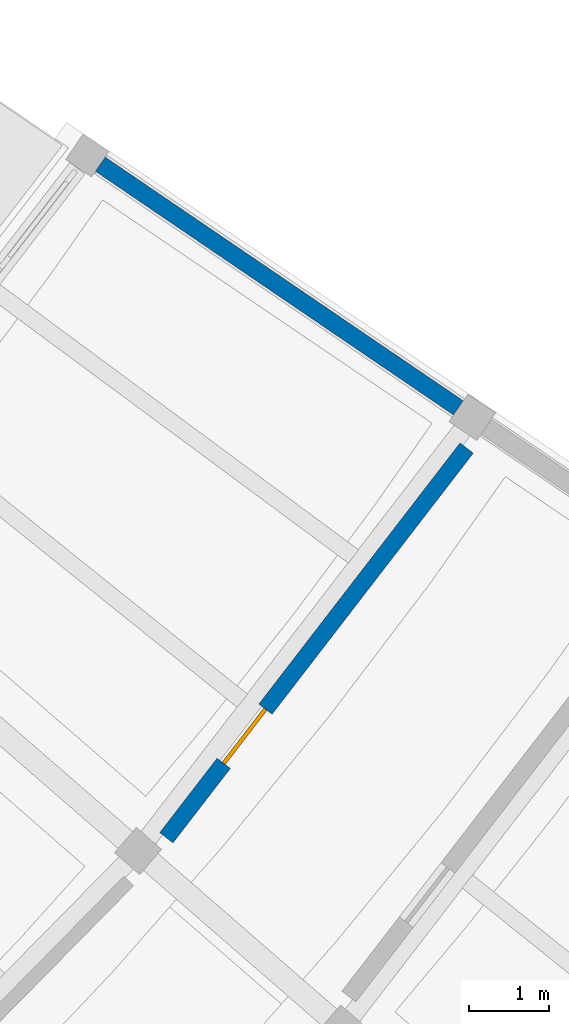
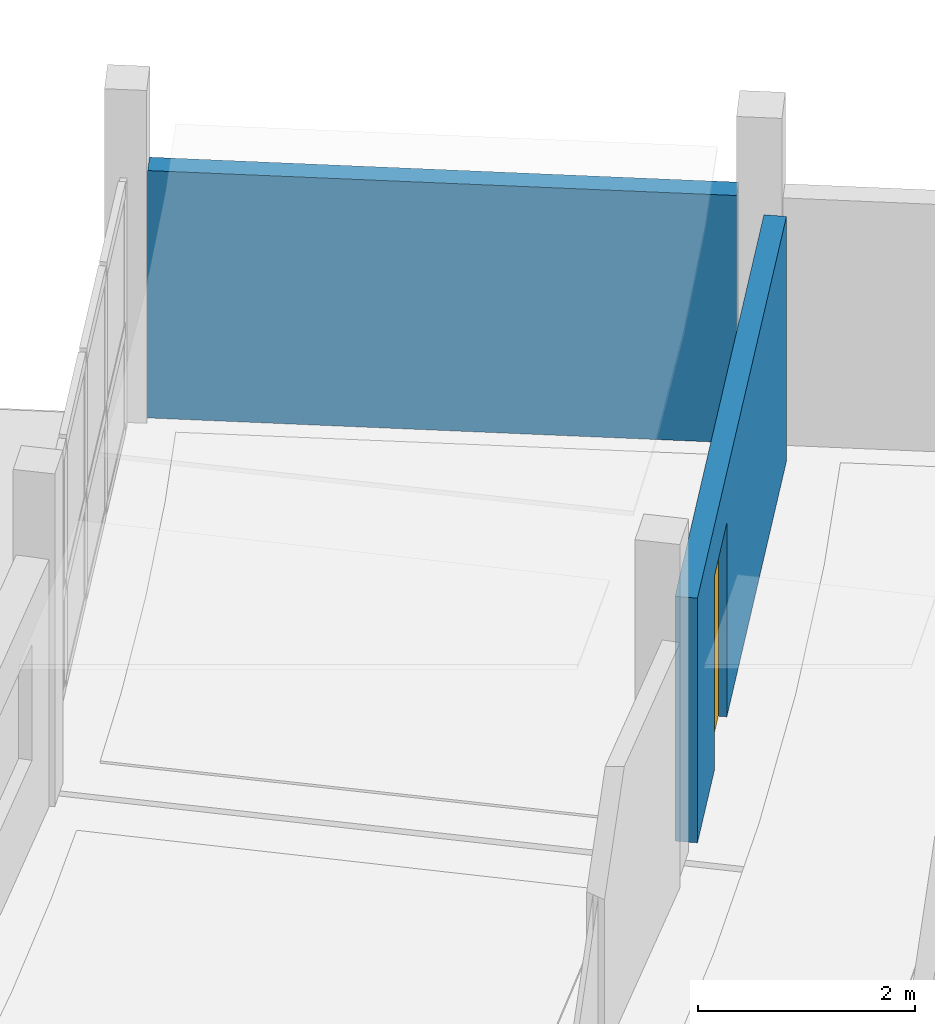
# One storey, part 60 of 77: 2 walls, 1 door, 1 opening.
"""IFC4 building model written with IfcOpenShell, lengths in metres."""

import ifcopenshell
import ifcopenshell.guid

model = None  # the IFC model being written
_history = None  # IfcOwnerHistory: only IFC2X3 demands one
_inside = {}  # id of a spatial element -> (the spatial element, [elements in it])
_under = {}  # id of a project, library or spatial element -> (it, [spatial elements below it])
_declared = {}  # id of a project -> (the project, [libraries it declares])
_typed = {}  # id of a type object -> (the type object, [elements of that type])
_made_of = {}  # id of a material, layer set ... -> (it, [elements and type objects made of it])


def new_model(schema):
    """Start an empty IFC model of exactly this schema.

    Asked for "IFC4X3", IfcOpenShell would pick the latest addendum, in which some entities
    have other attributes; the version numbers below select the first issue.
    IFC2X3 requires an IfcOwnerHistory on every rooted entity: one is made here for all.
    """
    global model, _history
    if schema == "IFC4X3":
        model = ifcopenshell.file(schema_version=(4, 3, 0, 0))
    else:
        model = ifcopenshell.file(schema=schema)
    _inside.clear()
    _under.clear()
    _declared.clear()
    _typed.clear()
    _made_of.clear()
    _history = None
    if model.schema == "IFC2X3":
        org = make("IfcOrganization", Name="unknown")
        user = make(
            "IfcPersonAndOrganization",
            ThePerson=make("IfcPerson", FamilyName="unknown"),
            TheOrganization=org,
        )
        app = make(
            "IfcApplication",
            ApplicationDeveloper=org,
            Version="unknown",
            ApplicationFullName="unknown",
            ApplicationIdentifier="unknown",
        )
        _history = make(
            "IfcOwnerHistory",
            OwningUser=user,
            OwningApplication=app,
            ChangeAction="ADDED",
            CreationDate=0,
        )
    return model


def make(cls, **values):
    """One entity of the class cls with the attributes given. An attribute that is None is left unset."""
    return model.create_entity(
        cls, **{name: value for name, value in values.items() if value is not None}
    )


def rooted(cls, **values):
    """An entity with a GlobalId (a new one), such as an element, a storey or a relation."""
    return make(cls, GlobalId=ifcopenshell.guid.new(), OwnerHistory=_history, **values)


def si_unit(unit_type, name, prefix=None):
    """IfcSIUnit, for example si_unit("LENGTHUNIT", "METRE", prefix="MILLI")."""
    return make("IfcSIUnit", UnitType=unit_type, Prefix=prefix, Name=name)


def assignment(units):
    """IfcUnitAssignment: the units of a project."""
    return None if units is None else make("IfcUnitAssignment", Units=units)


def point(xyz):
    """IfcCartesianPoint."""
    return None if xyz is None else make("IfcCartesianPoint", Coordinates=xyz)


def direction(xyz):
    """IfcDirection."""
    return None if xyz is None else make("IfcDirection", DirectionRatios=xyz)


def frame(location, z_axis=None, x_axis=None):
    """IfcAxis2Placement3D, a coordinate frame: its origin and axes. An axis left out is left unset."""
    return make(
        "IfcAxis2Placement3D",
        Location=point(location),
        Axis=direction(z_axis),
        RefDirection=direction(x_axis),
    )


def frame_2d(location, x_axis=None):
    """IfcAxis2Placement2D, a coordinate frame in the plane: its origin and x axis."""
    return make(
        "IfcAxis2Placement2D", Location=point(location), RefDirection=direction(x_axis)
    )


def origin():
    """The frame at (0, 0, 0) with its axes left unset."""
    return frame((0.0, 0.0, 0.0))


def place(relative_to, where):
    """IfcLocalPlacement: puts the frame where relative to a parent placement (None: the world)."""
    return make(
        "IfcLocalPlacement", PlacementRelTo=relative_to, RelativePlacement=where
    )


def context(
    kind, dimensions, precision=None, world=None, true_north=None, identifier=None
):
    """IfcGeometricRepresentationContext, for example the 3D "Model" context."""
    return make(
        "IfcGeometricRepresentationContext",
        ContextIdentifier=identifier,
        ContextType=kind,
        CoordinateSpaceDimension=dimensions,
        Precision=precision,
        WorldCoordinateSystem=world,
        TrueNorth=true_north,
    )


def subcontext(parent, identifier, kind, view, scale=None):
    """IfcGeometricRepresentationSubContext, for example "Body" below "Model"."""
    return make(
        "IfcGeometricRepresentationSubContext",
        ContextIdentifier=identifier,
        ContextType=kind,
        ParentContext=parent,
        TargetScale=scale,
        TargetView=view,
    )


def project(units=None, contexts=None):
    """IfcProject with its units and contexts."""
    return rooted(
        "IfcProject",
        Name="project",
        RepresentationContexts=contexts,
        UnitsInContext=assignment(units),
    )


def spatial(cls, under=None, at=None, **own):
    """A site, building, storey or space (cls), placed at a placement, below another one or the project."""
    s = rooted(cls, ObjectPlacement=at, **own)
    if under is not None:
        _under.setdefault(under.id(), (under, []))[1].append(s)
    return s


def profile(cls, at=None, kind="AREA", **sizes):
    """A parametric profile (cls). Its sizes go by their IFC names, for example OverallWidth=200.0."""
    return make(cls, ProfileType=kind, Position=at, **sizes)


def rectangle(**sizes):
    """IfcRectangleProfileDef."""
    return profile("IfcRectangleProfileDef", **sizes)


def extrude(swept, where, along, depth):
    """IfcExtrudedAreaSolid: the profile swept, set in the frame where, extruded along a direction by depth."""
    return make(
        "IfcExtrudedAreaSolid",
        SweptArea=swept,
        Position=where,
        ExtrudedDirection=direction(along),
        Depth=depth,
    )


def shape(context_of_items, identifier, shape_type, items):
    """IfcShapeRepresentation: the items that make up one representation, for example the "Body"."""
    return make(
        "IfcShapeRepresentation",
        ContextOfItems=context_of_items,
        RepresentationIdentifier=identifier,
        RepresentationType=shape_type,
        Items=items,
    )


def material(Name=None, Category=None):
    """IfcMaterial."""
    return make("IfcMaterial", Name=Name, Category=Category)


def layer(
    of_material, thickness, ventilated=None, Name=None, Category=None, Priority=None
):
    """IfcMaterialLayer: one layer of a wall or slab, of a material (None: an air gap)."""
    return make(
        "IfcMaterialLayer",
        Material=of_material,
        LayerThickness=thickness,
        IsVentilated=ventilated,
        Name=Name,
        Category=Category,
        Priority=Priority,
    )


def layer_set(layers, Name=None):
    """IfcMaterialLayerSet."""
    return make("IfcMaterialLayerSet", MaterialLayers=layers, LayerSetName=Name)


def made_of(thing, what):
    """Note that an element or type object is made of a material, layer set ...; save() writes the relation."""
    if what is not None:
        _made_of.setdefault(what.id(), (what, []))[1].append(thing)
    return thing


def type_object(cls, material=None, **own):
    """A type object (cls), such as IfcWallType, which elements share."""
    return made_of(rooted(cls, **own), material)


def element(
    cls,
    number,
    at=None,
    inside=None,
    cuts=None,
    type_object=None,
    material=None,
    context=None,
    identifier="Body",
    shape_type=None,
    held_by="IfcProductDefinitionShape",
    body=None,
    shapes=None,
    **own,
):
    """One element of the class cls, such as IfcWall. Its Tag is "e" and its number.

    at: its placement. inside: the storey or other place that contains it. cuts: it is an
    opening in that element (IfcRelVoidsElement). A single representation is given by context,
    identifier, shape_type and body (its items); several are given by shapes. held_by: the class
    of the entity that holds the representations. save() writes the other relations.
    """
    e = rooted(cls, Tag="e%d" % number, ObjectPlacement=at, **own)
    if body is not None:
        shapes = [shape(context, identifier, shape_type, body)]
    if shapes is not None:
        e.Representation = make(held_by, Representations=shapes)
    if inside is not None:
        _inside.setdefault(inside.id(), (inside, []))[1].append(e)
    if cuts is not None:
        rooted(
            "IfcRelVoidsElement", RelatingBuildingElement=cuts, RelatedOpeningElement=e
        )
    if type_object is not None:
        _typed.setdefault(type_object.id(), (type_object, []))[1].append(e)
    return made_of(e, material)


def fill(opening, filler):
    """IfcRelFillsElement: the door or window that sits in an opening."""
    return rooted(
        "IfcRelFillsElement",
        RelatingOpeningElement=opening,
        RelatedBuildingElement=filler,
    )


def aggregate(whole, parts):
    """IfcRelAggregates: a whole, such as a stair, and the parts it consists of."""
    return rooted("IfcRelAggregates", RelatingObject=whole, RelatedObjects=parts)


def save(model, path):
    """Write the relations noted so far, then the file.

    IfcRelAggregates (storeys below a building ...), IfcRelContainedInSpatialStructure (elements
    in a storey), IfcRelDefinesByType, IfcRelAssociatesMaterial and IfcRelDeclares: one each for
    every whole, place, type object, material and project.
    """
    for whole, parts in _under.values():
        aggregate(whole, parts)
    for where, things in _inside.values():
        rooted(
            "IfcRelContainedInSpatialStructure",
            RelatedElements=things,
            RelatingStructure=where,
        )
    for kind, things in _typed.values():
        rooted("IfcRelDefinesByType", RelatedObjects=things, RelatingType=kind)
    for what, things in _made_of.values():
        rooted("IfcRelAssociatesMaterial", RelatedObjects=things, RelatingMaterial=what)
    for by, libraries in _declared.values():
        rooted("IfcRelDeclares", RelatingContext=by, RelatedDefinitions=libraries)
    model.write(path)


model = new_model("IFC4")

# Units and contexts
model_context = context("Model", 3, precision=1e-05, world=origin(), true_north=direction((0.0, 1.0)))
body_context = subcontext(model_context, "Body", "Model", "MODEL_VIEW")
ifc_project = project(units=[si_unit("LENGTHUNIT", "METRE"), si_unit("AREAUNIT", "SQUARE_METRE"), si_unit("VOLUMEUNIT", "CUBIC_METRE"), si_unit("PLANEANGLEUNIT", "RADIAN"), si_unit("MASSUNIT", "GRAM", prefix="KILO")], contexts=[model_context])

# Site, building, storey
site_placement = place(None, origin())
site = spatial("IfcSite", under=ifc_project, at=site_placement, CompositionType="ELEMENT")
building_placement = place(site_placement, origin())
building = spatial("IfcBuilding", under=site, at=building_placement, Name="Caldaven Crescent School", CompositionType="ELEMENT")
storey_placement = place(building_placement, frame((0.0, 0.0, 4.419921875)))
storey = spatial("IfcBuildingStorey", under=building, at=storey_placement, Name="L01", CompositionType="ELEMENT", Elevation=4.419921875)

# Wall
ifc_material_1 = material(Name="Precast concrete C35/45", Category="concrete")
ifc_layer_1 = layer(ifc_material_1, 0.216064453125)
ifc_layer_set_1 = layer_set([ifc_layer_1], Name="Precast concrete C35/45")
wall_type_1 = type_object("IfcWallType", Name="WAL-EW03", PredefinedType="STANDARD", material=ifc_layer_set_1)
wall_1_placement = place(storey_placement, frame((131.526123046875, 66.380859375, 0.0), z_axis=(0.0, 0.0, 1.0), x_axis=(0.826743616666, -0.562578876516, 0.0)))
element("IfcWall", 1, at=wall_1_placement, inside=storey, type_object=wall_type_1, Name="EW-L01-156", PredefinedType="STANDARD", context=body_context, shape_type="SweptSolid", body=[
    extrude(rectangle(XDim=5.43896484375, YDim=0.216064453125, at=frame_2d((2.719482421875, 0.0))), origin(), (0.0, 0.0, 1.0), 2.780029296875),
])

# Wall, opening, door
ifc_material_2 = material(Name="Acoustic timber-stud and fire-rated gypsum board assembly", Category="wood")
ifc_layer_2 = layer(ifc_material_2, 0.2099609375)
ifc_layer_set_2 = layer_set([ifc_layer_2], Name="Acoustic timber-stud and fire-rated gypsum board assembly")
wall_type_2 = type_object("IfcWallType", Name="WAL-IW06", PredefinedType="STANDARD", material=ifc_layer_set_2)
wall_2_placement = place(storey_placement, frame((132.355224609375, 57.9189453125, 0.0), z_axis=(0.0, 0.0, 1.0), x_axis=(0.610376740954, 0.79211125109, 0.0)))
wall_2 = element("IfcWall", 2, at=wall_2_placement, inside=storey, type_object=wall_type_2, Name="IW-L01-0229", PredefinedType="STANDARD", context=body_context, shape_type="SweptSolid", body=[
    extrude(rectangle(XDim=6.180908203125, YDim=0.2099609375, at=frame_2d((3.09033203125, 0.0))), origin(), (0.0, 0.0, 1.0), 2.75),
])
opening_placement = place(wall_2_placement, frame((1.179931640625, 0.0, 0.0)))
opening = element("IfcOpeningElement", 3, at=opening_placement, cuts=wall_2, Name="Opening D-L01-I162", PredefinedType="OPENING", context=body_context, shape_type="SweptSolid", body=[
    extrude(rectangle(XDim=0.860107421875, YDim=2.179931640625, at=frame_2d((0.43017578125, 1.08984375))), frame((0.0, 0.114990234375, 0.0), z_axis=(0.0, -1.0, 0.0), x_axis=(1.0, 0.0, 0.0)), (0.0, 0.0, 1.0), 0.22998046875),
])
ifc_material_3 = material(Name="Solid-core Pino Radiata acoustic timber leaf in steel frame", Category="steel")
door_type = type_object("IfcDoorType", Name="DOR-ID03", OperationType="NOTDEFINED", PredefinedType="DOOR", material=ifc_material_3)
door_placement = place(opening_placement, frame((0.860107421875, 0.0, 0.0), z_axis=(0.0, 0.0, 1.0), x_axis=(-1.0, 0.0, 0.0)))
door = element("IfcDoor", 4, at=door_placement, inside=storey, type_object=door_type, Name="DOR-INT-L01-0162", OperationType="SINGLE_SWING_LEFT", OverallHeight=2.179931640625, OverallWidth=0.860107421875, PredefinedType="DOOR", context=body_context, shape_type="SweptSolid", body=[
    extrude(rectangle(XDim=0.860107421875, YDim=2.179931640625, at=frame_2d((0.43017578125, 1.08984375))), frame((0.0, 0.02490234375, 0.0), z_axis=(0.0, -1.0, 0.0), x_axis=(1.0, 0.0, 0.0)), (0.0, 0.0, 1.0), 0.050048828125),
])
fill(opening, door)

save(model, "model.ifc")
